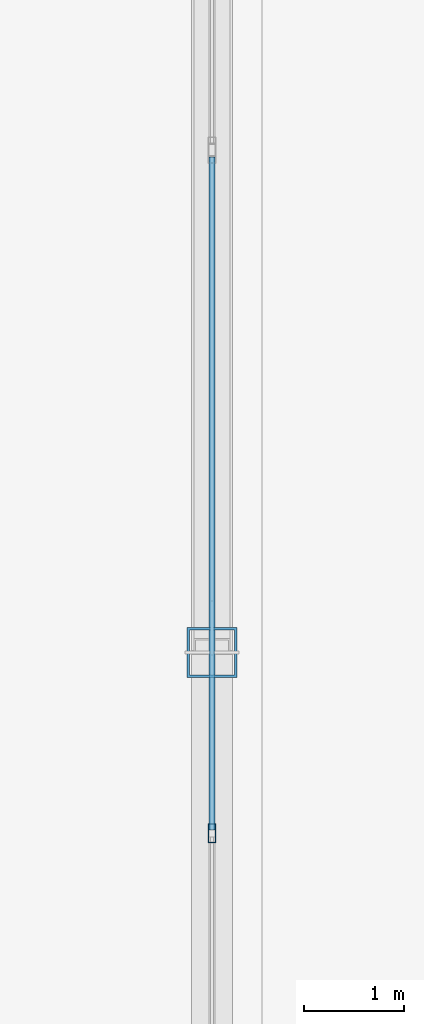
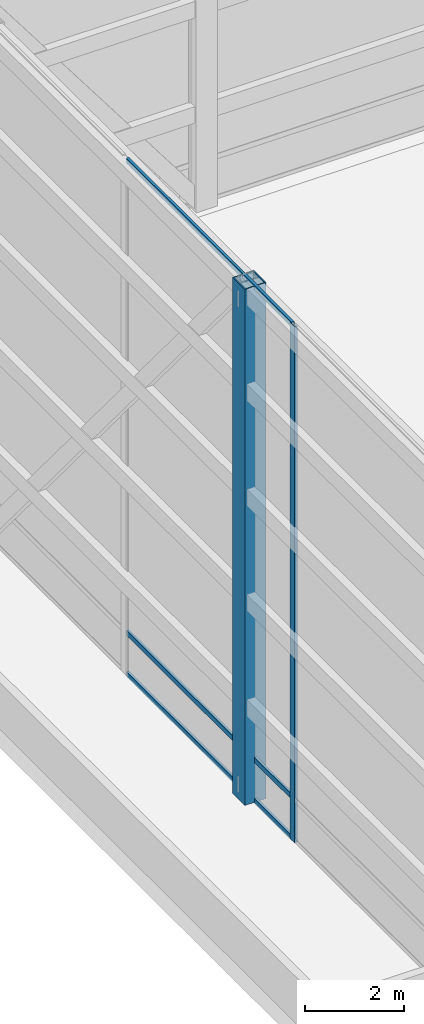
# One storey, part 4 of 23: 5 members, 1 element without a shape of its own.
"""IFC4 building model written with IfcOpenShell, lengths in metres."""

import ifcopenshell
import ifcopenshell.guid

model = None  # the IFC model being written
_history = None  # IfcOwnerHistory: only IFC2X3 demands one
_inside = {}  # id of a spatial element -> (the spatial element, [elements in it])
_under = {}  # id of a project, library or spatial element -> (it, [spatial elements below it])
_declared = {}  # id of a project -> (the project, [libraries it declares])
_typed = {}  # id of a type object -> (the type object, [elements of that type])
_made_of = {}  # id of a material, layer set ... -> (it, [elements and type objects made of it])


def new_model(schema):
    """Start an empty IFC model of exactly this schema.

    Asked for "IFC4X3", IfcOpenShell would pick the latest addendum, in which some entities
    have other attributes; the version numbers below select the first issue.
    IFC2X3 requires an IfcOwnerHistory on every rooted entity: one is made here for all.
    """
    global model, _history
    if schema == "IFC4X3":
        model = ifcopenshell.file(schema_version=(4, 3, 0, 0))
    else:
        model = ifcopenshell.file(schema=schema)
    _inside.clear()
    _under.clear()
    _declared.clear()
    _typed.clear()
    _made_of.clear()
    _history = None
    if model.schema == "IFC2X3":
        org = make("IfcOrganization", Name="unknown")
        user = make(
            "IfcPersonAndOrganization",
            ThePerson=make("IfcPerson", FamilyName="unknown"),
            TheOrganization=org,
        )
        app = make(
            "IfcApplication",
            ApplicationDeveloper=org,
            Version="unknown",
            ApplicationFullName="unknown",
            ApplicationIdentifier="unknown",
        )
        _history = make(
            "IfcOwnerHistory",
            OwningUser=user,
            OwningApplication=app,
            ChangeAction="ADDED",
            CreationDate=0,
        )
    return model


def make(cls, **values):
    """One entity of the class cls with the attributes given. An attribute that is None is left unset."""
    return model.create_entity(
        cls, **{name: value for name, value in values.items() if value is not None}
    )


def rooted(cls, **values):
    """An entity with a GlobalId (a new one), such as an element, a storey or a relation."""
    return make(cls, GlobalId=ifcopenshell.guid.new(), OwnerHistory=_history, **values)


def si_unit(unit_type, name, prefix=None):
    """IfcSIUnit, for example si_unit("LENGTHUNIT", "METRE", prefix="MILLI")."""
    return make("IfcSIUnit", UnitType=unit_type, Prefix=prefix, Name=name)


def assignment(units):
    """IfcUnitAssignment: the units of a project."""
    return None if units is None else make("IfcUnitAssignment", Units=units)


def point(xyz):
    """IfcCartesianPoint."""
    return None if xyz is None else make("IfcCartesianPoint", Coordinates=xyz)


def direction(xyz):
    """IfcDirection."""
    return None if xyz is None else make("IfcDirection", DirectionRatios=xyz)


def frame(location, z_axis=None, x_axis=None):
    """IfcAxis2Placement3D, a coordinate frame: its origin and axes. An axis left out is left unset."""
    return make(
        "IfcAxis2Placement3D",
        Location=point(location),
        Axis=direction(z_axis),
        RefDirection=direction(x_axis),
    )


def frame_2d(location, x_axis=None):
    """IfcAxis2Placement2D, a coordinate frame in the plane: its origin and x axis."""
    return make(
        "IfcAxis2Placement2D", Location=point(location), RefDirection=direction(x_axis)
    )


def origin():
    """The frame at (0, 0, 0) with its axes left unset."""
    return frame((0.0, 0.0, 0.0))


def origin_2d():
    """The frame at (0, 0) in the plane with its x axis left unset."""
    return frame_2d((0.0, 0.0))


def place(relative_to, where):
    """IfcLocalPlacement: puts the frame where relative to a parent placement (None: the world)."""
    return make(
        "IfcLocalPlacement", PlacementRelTo=relative_to, RelativePlacement=where
    )


def context(
    kind, dimensions, precision=None, world=None, true_north=None, identifier=None
):
    """IfcGeometricRepresentationContext, for example the 3D "Model" context."""
    return make(
        "IfcGeometricRepresentationContext",
        ContextIdentifier=identifier,
        ContextType=kind,
        CoordinateSpaceDimension=dimensions,
        Precision=precision,
        WorldCoordinateSystem=world,
        TrueNorth=true_north,
    )


def subcontext(parent, identifier, kind, view, scale=None):
    """IfcGeometricRepresentationSubContext, for example "Body" below "Model"."""
    return make(
        "IfcGeometricRepresentationSubContext",
        ContextIdentifier=identifier,
        ContextType=kind,
        ParentContext=parent,
        TargetScale=scale,
        TargetView=view,
    )


def project(units=None, contexts=None):
    """IfcProject with its units and contexts."""
    return rooted(
        "IfcProject",
        Name="project",
        RepresentationContexts=contexts,
        UnitsInContext=assignment(units),
    )


def spatial(cls, under=None, at=None, **own):
    """A site, building, storey or space (cls), placed at a placement, below another one or the project."""
    s = rooted(cls, ObjectPlacement=at, **own)
    if under is not None:
        _under.setdefault(under.id(), (under, []))[1].append(s)
    return s


def profile(cls, at=None, kind="AREA", **sizes):
    """A parametric profile (cls). Its sizes go by their IFC names, for example OverallWidth=200.0."""
    return make(cls, ProfileType=kind, Position=at, **sizes)


def hollow_rectangle(**sizes):
    """IfcRectangleHollowProfileDef."""
    return profile("IfcRectangleHollowProfileDef", **sizes)


def extrude(swept, where, along, depth):
    """IfcExtrudedAreaSolid: the profile swept, set in the frame where, extruded along a direction by depth."""
    return make(
        "IfcExtrudedAreaSolid",
        SweptArea=swept,
        Position=where,
        ExtrudedDirection=direction(along),
        Depth=depth,
    )


def shape(context_of_items, identifier, shape_type, items):
    """IfcShapeRepresentation: the items that make up one representation, for example the "Body"."""
    return make(
        "IfcShapeRepresentation",
        ContextOfItems=context_of_items,
        RepresentationIdentifier=identifier,
        RepresentationType=shape_type,
        Items=items,
    )


def source(mapping_origin, context_of_items, identifier, shape_type, items):
    """IfcRepresentationMap: a shape defined once, which mapped items show again and again."""
    return make(
        "IfcRepresentationMap",
        MappingOrigin=mapping_origin,
        MappedRepresentation=shape(context_of_items, identifier, shape_type, items),
    )


def transform(
    local_origin,
    x_axis=None,
    y_axis=None,
    z_axis=None,
    scale=None,
    scale2=None,
    scale3=None,
    uniform=True,
):
    """IfcCartesianTransformationOperator3D, or its non-uniform kind. x_axis, y_axis, z_axis: its Axis1, 2, 3."""
    if uniform:
        return make(
            "IfcCartesianTransformationOperator3D",
            Axis1=direction(x_axis),
            Axis2=direction(y_axis),
            LocalOrigin=point(local_origin),
            Scale=scale,
            Axis3=direction(z_axis),
        )
    return make(
        "IfcCartesianTransformationOperator3DnonUniform",
        Axis1=direction(x_axis),
        Axis2=direction(y_axis),
        LocalOrigin=point(local_origin),
        Scale=scale,
        Axis3=direction(z_axis),
        Scale2=scale2,
        Scale3=scale3,
    )


def mapped(mapping_source, mapping_target):
    """IfcMappedItem: shows the shape of a source again, moved by a transform."""
    return make(
        "IfcMappedItem", MappingSource=mapping_source, MappingTarget=mapping_target
    )


def material(Name=None, Category=None):
    """IfcMaterial."""
    return make("IfcMaterial", Name=Name, Category=Category)


def layer(
    of_material, thickness, ventilated=None, Name=None, Category=None, Priority=None
):
    """IfcMaterialLayer: one layer of a wall or slab, of a material (None: an air gap)."""
    return make(
        "IfcMaterialLayer",
        Material=of_material,
        LayerThickness=thickness,
        IsVentilated=ventilated,
        Name=Name,
        Category=Category,
        Priority=Priority,
    )


def layer_set(layers, Name=None):
    """IfcMaterialLayerSet."""
    return make("IfcMaterialLayerSet", MaterialLayers=layers, LayerSetName=Name)


def material_profile(
    of_material, cross_section, Name=None, Category=None, Priority=None
):
    """IfcMaterialProfile: a cross section and its material."""
    return make(
        "IfcMaterialProfile",
        Name=Name,
        Material=of_material,
        Profile=cross_section,
        Priority=Priority,
        Category=Category,
    )


def profile_set(profiles, Name=None, composite=None):
    """IfcMaterialProfileSet."""
    return make(
        "IfcMaterialProfileSet",
        Name=Name,
        MaterialProfiles=profiles,
        CompositeProfile=composite,
    )


def made_of(thing, what):
    """Note that an element or type object is made of a material, layer set ...; save() writes the relation."""
    if what is not None:
        _made_of.setdefault(what.id(), (what, []))[1].append(thing)
    return thing


def type_object(cls, material=None, **own):
    """A type object (cls), such as IfcWallType, which elements share."""
    return made_of(rooted(cls, **own), material)


def type_shapes(of_type, sources):
    """Give a type object the sources (RepresentationMaps) that its elements show as mapped items."""
    of_type.RepresentationMaps = sources


def element(
    cls,
    number,
    at=None,
    inside=None,
    cuts=None,
    type_object=None,
    material=None,
    context=None,
    identifier="Body",
    shape_type=None,
    held_by="IfcProductDefinitionShape",
    body=None,
    shapes=None,
    **own,
):
    """One element of the class cls, such as IfcWall. Its Tag is "e" and its number.

    at: its placement. inside: the storey or other place that contains it. cuts: it is an
    opening in that element (IfcRelVoidsElement). A single representation is given by context,
    identifier, shape_type and body (its items); several are given by shapes. held_by: the class
    of the entity that holds the representations. save() writes the other relations.
    """
    e = rooted(cls, Tag="e%d" % number, ObjectPlacement=at, **own)
    if body is not None:
        shapes = [shape(context, identifier, shape_type, body)]
    if shapes is not None:
        e.Representation = make(held_by, Representations=shapes)
    if inside is not None:
        _inside.setdefault(inside.id(), (inside, []))[1].append(e)
    if cuts is not None:
        rooted(
            "IfcRelVoidsElement", RelatingBuildingElement=cuts, RelatedOpeningElement=e
        )
    if type_object is not None:
        _typed.setdefault(type_object.id(), (type_object, []))[1].append(e)
    return made_of(e, material)


def aggregate(whole, parts):
    """IfcRelAggregates: a whole, such as a stair, and the parts it consists of."""
    return rooted("IfcRelAggregates", RelatingObject=whole, RelatedObjects=parts)


def save(model, path):
    """Write the relations noted so far, then the file.

    IfcRelAggregates (storeys below a building ...), IfcRelContainedInSpatialStructure (elements
    in a storey), IfcRelDefinesByType, IfcRelAssociatesMaterial and IfcRelDeclares: one each for
    every whole, place, type object, material and project.
    """
    for whole, parts in _under.values():
        aggregate(whole, parts)
    for where, things in _inside.values():
        rooted(
            "IfcRelContainedInSpatialStructure",
            RelatedElements=things,
            RelatingStructure=where,
        )
    for kind, things in _typed.values():
        rooted("IfcRelDefinesByType", RelatedObjects=things, RelatingType=kind)
    for what, things in _made_of.values():
        rooted("IfcRelAssociatesMaterial", RelatedObjects=things, RelatingMaterial=what)
    for by, libraries in _declared.values():
        rooted("IfcRelDeclares", RelatingContext=by, RelatedDefinitions=libraries)
    model.write(path)


model = new_model("IFC4")

# Units and contexts
model_context = context("Model", 3, precision=1e-05, world=origin(), true_north=direction((0.0, 1.0)))
body_context = subcontext(model_context, "Body", "Model", "MODEL_VIEW")
ifc_project = project(units=[si_unit("LENGTHUNIT", "METRE"), si_unit("AREAUNIT", "SQUARE_METRE"), si_unit("VOLUMEUNIT", "CUBIC_METRE"), si_unit("PLANEANGLEUNIT", "RADIAN"), si_unit("MASSUNIT", "GRAM", prefix="KILO")], contexts=[model_context])

# Site, building, storey
site_placement = place(None, origin())
site = spatial("IfcSite", under=ifc_project, at=site_placement, CompositionType="ELEMENT")
building_placement = place(site_placement, origin())
building = spatial("IfcBuilding", under=site, at=building_placement, Name="Varnel Quay Broadcast Tower", CompositionType="ELEMENT")
storey_placement = place(building_placement, frame((0.0, 0.0, 319.800048828125)))
storey = spatial("IfcBuildingStorey", under=building, at=storey_placement, Name="Roof", CompositionType="ELEMENT", Elevation=319.800048828125)

# Member
ifc_material_1 = material(Name="Structural Steel CSA G40.21 350WT", Category="steel")
ifc_material_profile_1 = material_profile(ifc_material_1, hollow_rectangle(XDim=0.5, YDim=0.5, WallThickness=0.02490234375, at=origin_2d()), Name="BOX500X500X25")
ifc_profile_set_1 = profile_set([ifc_material_profile_1], Name="Structural Steel CSA G40.21 350WT")
member_type_1 = type_object("IfcMemberType", Name="CrownRingPost_BOX500", PredefinedType="POST", material=ifc_profile_set_1)
shared_shape_1 = source(origin(), body_context, "Body", "SweptSolid", [
    extrude(hollow_rectangle(XDim=0.5, YDim=0.5, WallThickness=0.02490234375, at=origin_2d()), origin(), (0.0, 0.0, 1.0), 12.75),
])
type_shapes(member_type_1, [shared_shape_1])
member_1_placement = place(storey_placement, frame((15.199951171875, 25.0, 0.0), z_axis=(0.0, 0.0, 1.0), x_axis=(1.0, 0.0, 0.0)))
element("IfcMember", 1, at=member_1_placement, inside=storey, type_object=member_type_1, Name="CROWN FRAME Ring Post 14", PredefinedType="POST", context=body_context, shape_type="MappedRepresentation", body=[
    mapped(shared_shape_1, transform((0.0, 0.0, 0.0), x_axis=(1.0, 0.0, 0.0), y_axis=(0.0, 1.0, 0.0), z_axis=(0.0, 0.0, 1.0), scale=1.0)),
])

# Curtain wall, members
ifc_material_2 = material(Name="Anodised Bronze Aluminium 6063-T6", Category="aluminium")
ifc_layer = layer(ifc_material_2, 0.18994140625, Name="Anodised Bronze Aluminium 6063-T6")
ifc_layer_set = layer_set([ifc_layer], Name="Anodised Bronze Aluminium 6063-T6")
curtain_wall_type = type_object("IfcCurtainWallType", Name="CW_CrownScreen", PredefinedType="NOTDEFINED", material=ifc_layer_set)
curtain_wall_placement = place(storey_placement, origin())
curtain_wall = element("IfcCurtainWall", 2, at=curtain_wall_placement, inside=storey, type_object=curtain_wall_type, Name="Ring Crown Bronze Glazed Louvre Screen W2", PredefinedType="NOTDEFINED")
ifc_material_profile_2 = material_profile(ifc_material_2, hollow_rectangle(XDim=0.070068359375, YDim=0.18994140625, WallThickness=0.00390625, at=origin_2d()), Name="ALU70X190X4")
ifc_profile_set_2 = profile_set([ifc_material_profile_2], Name="Anodised Bronze Aluminium 6063-T6")
member_type_2 = type_object("IfcMemberType", Name="Mull_CWS-06", PredefinedType="MULLION", material=ifc_profile_set_2)
shared_shape_2 = source(origin(), body_context, "Body", "SweptSolid", [
    extrude(hollow_rectangle(XDim=0.070068359375, YDim=0.18994140625, WallThickness=0.00390625, at=origin_2d()), origin(), (0.0, 0.0, 1.0), 12.75),
])
type_shapes(member_type_2, [shared_shape_2])
member_2_placement = place(storey_placement, frame((15.199951171875, 23.199951171875, 0.0), z_axis=(0.0, 0.0, 1.0), x_axis=(1.0, 0.0, 0.0)))
member_2 = element("IfcMember", 3, at=member_2_placement, type_object=member_type_2, Name="CWS-06 mullion 2", PredefinedType="MULLION", context=body_context, shape_type="MappedRepresentation", body=[
    mapped(shared_shape_2, transform((0.0, 0.0, 0.0), x_axis=(1.0, 0.0, 0.0), y_axis=(0.0, 1.0, 0.0), z_axis=(0.0, 0.0, 1.0), scale=1.0)),
])
ifc_material_profile_3 = material_profile(ifc_material_2, hollow_rectangle(XDim=0.06005859375, YDim=0.125, WallThickness=0.0029296875, at=origin_2d()), Name="ALU60X125X3")
ifc_profile_set_3 = profile_set([ifc_material_profile_3], Name="Anodised Bronze Aluminium 6063-T6")
member_type_3 = type_object("IfcMemberType", Name="Tran_CWS-06", PredefinedType="USERDEFINED", material=ifc_profile_set_3)
shared_shape_3 = source(origin(), body_context, "Body", "SweptSolid", [
    extrude(hollow_rectangle(XDim=0.06005859375, YDim=0.125, WallThickness=0.0029296875, at=origin_2d()), origin(), (0.0, 0.0, 1.0), 6.69482421875),
])
type_shapes(member_type_3, [shared_shape_3])
member_3_placement = place(storey_placement, frame((15.199951171875, 29.929931640625, 0.030029296875), z_axis=(0.0, -1.0, 0.0), x_axis=(1.0, 0.0, 0.0)))
member_3 = element("IfcMember", 4, at=member_3_placement, type_object=member_type_3, Name="CWS-06 transom 1.1", ObjectType="TRANSOM", PredefinedType="USERDEFINED", context=body_context, shape_type="MappedRepresentation", body=[
    mapped(shared_shape_3, transform((0.0, 0.0, 0.0), x_axis=(1.0, 0.0, 0.0), y_axis=(0.0, 1.0, 0.0), z_axis=(0.0, 0.0, 1.0), scale=1.0)),
])
member_4_placement = place(storey_placement, frame((15.199951171875, 29.929931640625, 1.050048828125), z_axis=(0.0, -1.0, 0.0), x_axis=(1.0, 0.0, 0.0)))
member_4 = element("IfcMember", 5, at=member_4_placement, type_object=member_type_3, Name="CWS-06 transom 1.2", ObjectType="TRANSOM", PredefinedType="USERDEFINED", context=body_context, shape_type="MappedRepresentation", body=[
    mapped(shared_shape_3, transform((0.0, 0.0, 0.0), x_axis=(1.0, 0.0, 0.0), y_axis=(0.0, 1.0, 0.0), z_axis=(0.0, 0.0, 1.0), scale=1.0)),
])
member_5_placement = place(storey_placement, frame((15.199951171875, 29.929931640625, 12.719970703125), z_axis=(0.0, -1.0, 0.0), x_axis=(1.0, 0.0, 0.0)))
member_5 = element("IfcMember", 6, at=member_5_placement, type_object=member_type_3, Name="CWS-06 transom 1.3", ObjectType="TRANSOM", PredefinedType="USERDEFINED", context=body_context, shape_type="MappedRepresentation", body=[
    mapped(shared_shape_3, transform((0.0, 0.0, 0.0), x_axis=(1.0, 0.0, 0.0), y_axis=(0.0, 1.0, 0.0), z_axis=(0.0, 0.0, 1.0), scale=1.0)),
])
aggregate(curtain_wall, [member_2, member_3, member_4, member_5])

save(model, "model.ifc")
